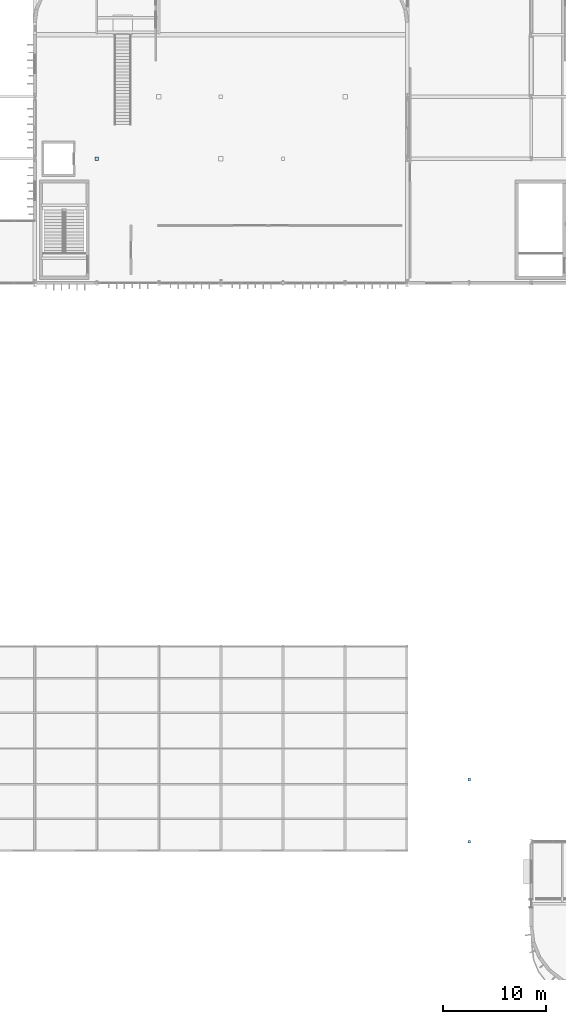
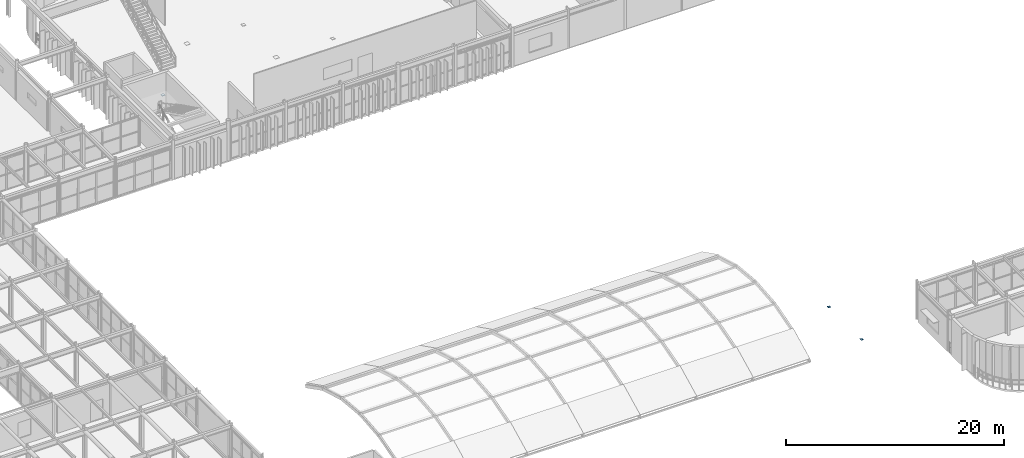
# One storey, part 53 of 84: 3 plates.
"""IFC4 building model written with IfcOpenShell, lengths in metres."""

import ifcopenshell
import ifcopenshell.guid

model = None  # the IFC model being written
_history = None  # IfcOwnerHistory: only IFC2X3 demands one
_inside = {}  # id of a spatial element -> (the spatial element, [elements in it])
_under = {}  # id of a project, library or spatial element -> (it, [spatial elements below it])
_declared = {}  # id of a project -> (the project, [libraries it declares])
_typed = {}  # id of a type object -> (the type object, [elements of that type])
_made_of = {}  # id of a material, layer set ... -> (it, [elements and type objects made of it])


def new_model(schema):
    """Start an empty IFC model of exactly this schema.

    Asked for "IFC4X3", IfcOpenShell would pick the latest addendum, in which some entities
    have other attributes; the version numbers below select the first issue.
    IFC2X3 requires an IfcOwnerHistory on every rooted entity: one is made here for all.
    """
    global model, _history
    if schema == "IFC4X3":
        model = ifcopenshell.file(schema_version=(4, 3, 0, 0))
    else:
        model = ifcopenshell.file(schema=schema)
    _inside.clear()
    _under.clear()
    _declared.clear()
    _typed.clear()
    _made_of.clear()
    _history = None
    if model.schema == "IFC2X3":
        org = make("IfcOrganization", Name="unknown")
        user = make(
            "IfcPersonAndOrganization",
            ThePerson=make("IfcPerson", FamilyName="unknown"),
            TheOrganization=org,
        )
        app = make(
            "IfcApplication",
            ApplicationDeveloper=org,
            Version="unknown",
            ApplicationFullName="unknown",
            ApplicationIdentifier="unknown",
        )
        _history = make(
            "IfcOwnerHistory",
            OwningUser=user,
            OwningApplication=app,
            ChangeAction="ADDED",
            CreationDate=0,
        )
    return model


def make(cls, **values):
    """One entity of the class cls with the attributes given. An attribute that is None is left unset."""
    return model.create_entity(
        cls, **{name: value for name, value in values.items() if value is not None}
    )


def rooted(cls, **values):
    """An entity with a GlobalId (a new one), such as an element, a storey or a relation."""
    return make(cls, GlobalId=ifcopenshell.guid.new(), OwnerHistory=_history, **values)


def si_unit(unit_type, name, prefix=None):
    """IfcSIUnit, for example si_unit("LENGTHUNIT", "METRE", prefix="MILLI")."""
    return make("IfcSIUnit", UnitType=unit_type, Prefix=prefix, Name=name)


def assignment(units):
    """IfcUnitAssignment: the units of a project."""
    return None if units is None else make("IfcUnitAssignment", Units=units)


def point(xyz):
    """IfcCartesianPoint."""
    return None if xyz is None else make("IfcCartesianPoint", Coordinates=xyz)


def direction(xyz):
    """IfcDirection."""
    return None if xyz is None else make("IfcDirection", DirectionRatios=xyz)


def frame(location, z_axis=None, x_axis=None):
    """IfcAxis2Placement3D, a coordinate frame: its origin and axes. An axis left out is left unset."""
    return make(
        "IfcAxis2Placement3D",
        Location=point(location),
        Axis=direction(z_axis),
        RefDirection=direction(x_axis),
    )


def frame_2d(location, x_axis=None):
    """IfcAxis2Placement2D, a coordinate frame in the plane: its origin and x axis."""
    return make(
        "IfcAxis2Placement2D", Location=point(location), RefDirection=direction(x_axis)
    )


def origin():
    """The frame at (0, 0, 0) with its axes left unset."""
    return frame((0.0, 0.0, 0.0))


def origin_2d():
    """The frame at (0, 0) in the plane with its x axis left unset."""
    return frame_2d((0.0, 0.0))


def place(relative_to, where):
    """IfcLocalPlacement: puts the frame where relative to a parent placement (None: the world)."""
    return make(
        "IfcLocalPlacement", PlacementRelTo=relative_to, RelativePlacement=where
    )


def context(
    kind, dimensions, precision=None, world=None, true_north=None, identifier=None
):
    """IfcGeometricRepresentationContext, for example the 3D "Model" context."""
    return make(
        "IfcGeometricRepresentationContext",
        ContextIdentifier=identifier,
        ContextType=kind,
        CoordinateSpaceDimension=dimensions,
        Precision=precision,
        WorldCoordinateSystem=world,
        TrueNorth=true_north,
    )


def subcontext(parent, identifier, kind, view, scale=None):
    """IfcGeometricRepresentationSubContext, for example "Body" below "Model"."""
    return make(
        "IfcGeometricRepresentationSubContext",
        ContextIdentifier=identifier,
        ContextType=kind,
        ParentContext=parent,
        TargetScale=scale,
        TargetView=view,
    )


def project(units=None, contexts=None):
    """IfcProject with its units and contexts."""
    return rooted(
        "IfcProject",
        Name="project",
        RepresentationContexts=contexts,
        UnitsInContext=assignment(units),
    )


def spatial(cls, under=None, at=None, **own):
    """A site, building, storey or space (cls), placed at a placement, below another one or the project."""
    s = rooted(cls, ObjectPlacement=at, **own)
    if under is not None:
        _under.setdefault(under.id(), (under, []))[1].append(s)
    return s


def profile(cls, at=None, kind="AREA", **sizes):
    """A parametric profile (cls). Its sizes go by their IFC names, for example OverallWidth=200.0."""
    return make(cls, ProfileType=kind, Position=at, **sizes)


def rectangle(**sizes):
    """IfcRectangleProfileDef."""
    return profile("IfcRectangleProfileDef", **sizes)


def extrude(swept, where, along, depth):
    """IfcExtrudedAreaSolid: the profile swept, set in the frame where, extruded along a direction by depth."""
    return make(
        "IfcExtrudedAreaSolid",
        SweptArea=swept,
        Position=where,
        ExtrudedDirection=direction(along),
        Depth=depth,
    )


def shape(context_of_items, identifier, shape_type, items):
    """IfcShapeRepresentation: the items that make up one representation, for example the "Body"."""
    return make(
        "IfcShapeRepresentation",
        ContextOfItems=context_of_items,
        RepresentationIdentifier=identifier,
        RepresentationType=shape_type,
        Items=items,
    )


def material(Name=None, Category=None):
    """IfcMaterial."""
    return make("IfcMaterial", Name=Name, Category=Category)


def layer(
    of_material, thickness, ventilated=None, Name=None, Category=None, Priority=None
):
    """IfcMaterialLayer: one layer of a wall or slab, of a material (None: an air gap)."""
    return make(
        "IfcMaterialLayer",
        Material=of_material,
        LayerThickness=thickness,
        IsVentilated=ventilated,
        Name=Name,
        Category=Category,
        Priority=Priority,
    )


def layer_set(layers, Name=None):
    """IfcMaterialLayerSet."""
    return make("IfcMaterialLayerSet", MaterialLayers=layers, LayerSetName=Name)


def made_of(thing, what):
    """Note that an element or type object is made of a material, layer set ...; save() writes the relation."""
    if what is not None:
        _made_of.setdefault(what.id(), (what, []))[1].append(thing)
    return thing


def type_object(cls, material=None, **own):
    """A type object (cls), such as IfcWallType, which elements share."""
    return made_of(rooted(cls, **own), material)


def element(
    cls,
    number,
    at=None,
    inside=None,
    cuts=None,
    type_object=None,
    material=None,
    context=None,
    identifier="Body",
    shape_type=None,
    held_by="IfcProductDefinitionShape",
    body=None,
    shapes=None,
    **own,
):
    """One element of the class cls, such as IfcWall. Its Tag is "e" and its number.

    at: its placement. inside: the storey or other place that contains it. cuts: it is an
    opening in that element (IfcRelVoidsElement). A single representation is given by context,
    identifier, shape_type and body (its items); several are given by shapes. held_by: the class
    of the entity that holds the representations. save() writes the other relations.
    """
    e = rooted(cls, Tag="e%d" % number, ObjectPlacement=at, **own)
    if body is not None:
        shapes = [shape(context, identifier, shape_type, body)]
    if shapes is not None:
        e.Representation = make(held_by, Representations=shapes)
    if inside is not None:
        _inside.setdefault(inside.id(), (inside, []))[1].append(e)
    if cuts is not None:
        rooted(
            "IfcRelVoidsElement", RelatingBuildingElement=cuts, RelatedOpeningElement=e
        )
    if type_object is not None:
        _typed.setdefault(type_object.id(), (type_object, []))[1].append(e)
    return made_of(e, material)


def aggregate(whole, parts):
    """IfcRelAggregates: a whole, such as a stair, and the parts it consists of."""
    return rooted("IfcRelAggregates", RelatingObject=whole, RelatedObjects=parts)


def save(model, path):
    """Write the relations noted so far, then the file.

    IfcRelAggregates (storeys below a building ...), IfcRelContainedInSpatialStructure (elements
    in a storey), IfcRelDefinesByType, IfcRelAssociatesMaterial and IfcRelDeclares: one each for
    every whole, place, type object, material and project.
    """
    for whole, parts in _under.values():
        aggregate(whole, parts)
    for where, things in _inside.values():
        rooted(
            "IfcRelContainedInSpatialStructure",
            RelatedElements=things,
            RelatingStructure=where,
        )
    for kind, things in _typed.values():
        rooted("IfcRelDefinesByType", RelatedObjects=things, RelatingType=kind)
    for what, things in _made_of.values():
        rooted("IfcRelAssociatesMaterial", RelatedObjects=things, RelatingMaterial=what)
    for by, libraries in _declared.values():
        rooted("IfcRelDeclares", RelatingContext=by, RelatedDefinitions=libraries)
    model.write(path)


model = new_model("IFC4")

# Units and contexts
model_context = context("Model", 3, precision=1e-05, world=origin(), true_north=direction((0.0, 1.0)))
body_context = subcontext(model_context, "Body", "Model", "MODEL_VIEW")
ifc_project = project(units=[si_unit("LENGTHUNIT", "METRE"), si_unit("AREAUNIT", "SQUARE_METRE"), si_unit("VOLUMEUNIT", "CUBIC_METRE"), si_unit("PLANEANGLEUNIT", "RADIAN"), si_unit("MASSUNIT", "GRAM", prefix="KILO")], contexts=[model_context])

# Site, building, storey
site_placement = place(None, origin())
site = spatial("IfcSite", under=ifc_project, at=site_placement, CompositionType="ELEMENT")
building_placement = place(site_placement, origin())
building = spatial("IfcBuilding", under=site, at=building_placement, Name="Varnakota Square Police Headquarters", CompositionType="ELEMENT")
storey_placement = place(building_placement, frame((0.0, 0.0, 13.5)))
storey = spatial("IfcBuildingStorey", under=building, at=storey_placement, Name="L03", CompositionType="ELEMENT", Elevation=13.5)

# Plates
ifc_material = material(Name="Steel IS 2062 Grade 350", Category="steel")
ifc_layer = layer(ifc_material, 0.01611328125, Name="Steel IS 2062 Grade 350")
ifc_layer_set = layer_set([ifc_layer], Name="Steel IS 2062 Grade 350")
plate_type = type_object("IfcPlateType", Name="PL-CAP-16", PredefinedType="SHEET", material=ifc_layer_set)
plate_placement = place(storey_placement, frame((66.0, 81.0, -0.001953125), z_axis=(0.0, 0.0, 1.0), x_axis=(1.0, 0.0, 0.0)))
element("IfcPlate", 1, at=plate_placement, inside=storey, type_object=plate_type, Name="Hollow column top cap plate CP-COL-X0660-Y0810", PredefinedType="SHEET", context=body_context, shape_type="SweptSolid", body=[
    extrude(rectangle(XDim=0.330078125, YDim=0.330078125, at=origin_2d()), origin(), (0.0, 0.0, 1.0), 0.01611328125),
])
for number, where, z_axis, x_axis, name in (
    (2, (102.0, 15.0, -0.001953125), (0.0, 0.0, 1.0), (1.0, 0.0, 0.0), "Hollow column top cap plate CP-COL-X1020-Y0150"),
    (3, (102.0, 21.0, -0.001953125), (0.0, 0.0, 1.0), (1.0, 0.0, 0.0), "Hollow column top cap plate CP-COL-X1020-Y0210"),
):
    element("IfcPlate", number, at=place(storey_placement, frame(where, z_axis=z_axis, x_axis=x_axis)), inside=storey, type_object=plate_type, Name=name, PredefinedType="SHEET", context=body_context, shape_type="SweptSolid", body=[
        extrude(rectangle(XDim=0.2490234375, YDim=0.2490234375, at=origin_2d()), origin(), (0.0, 0.0, 1.0), 0.01611328125),
    ])

save(model, "model.ifc")
